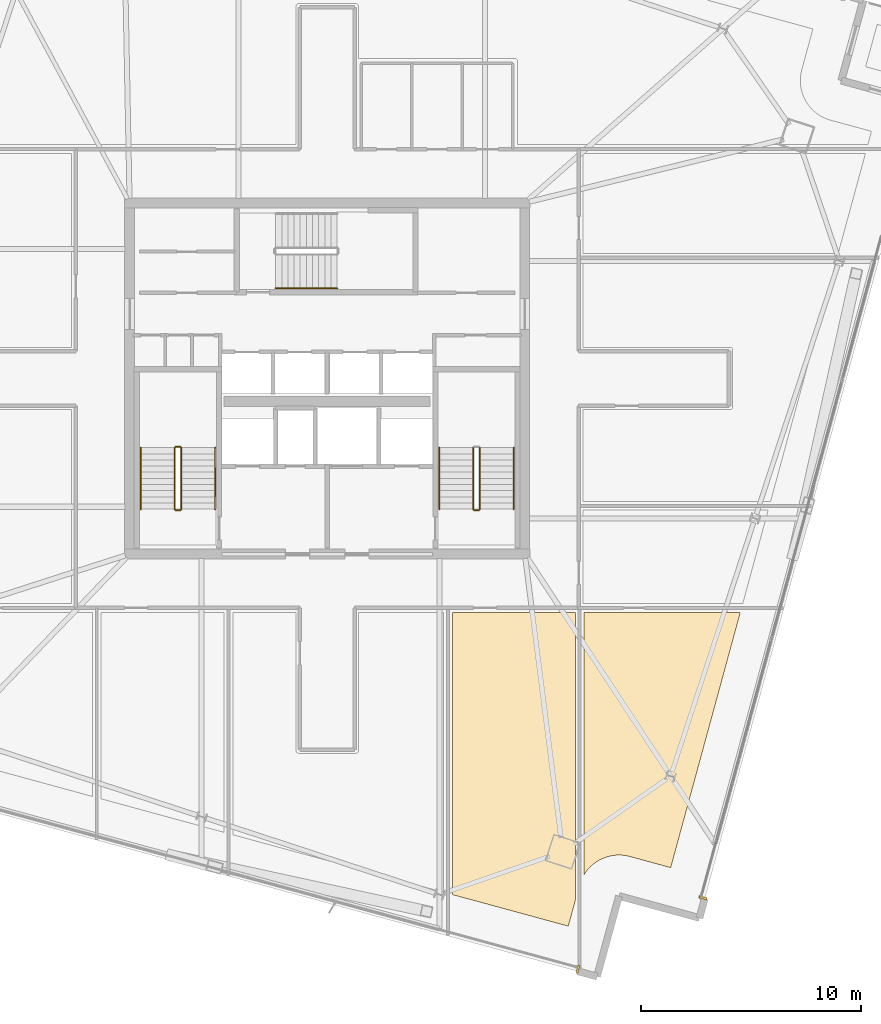
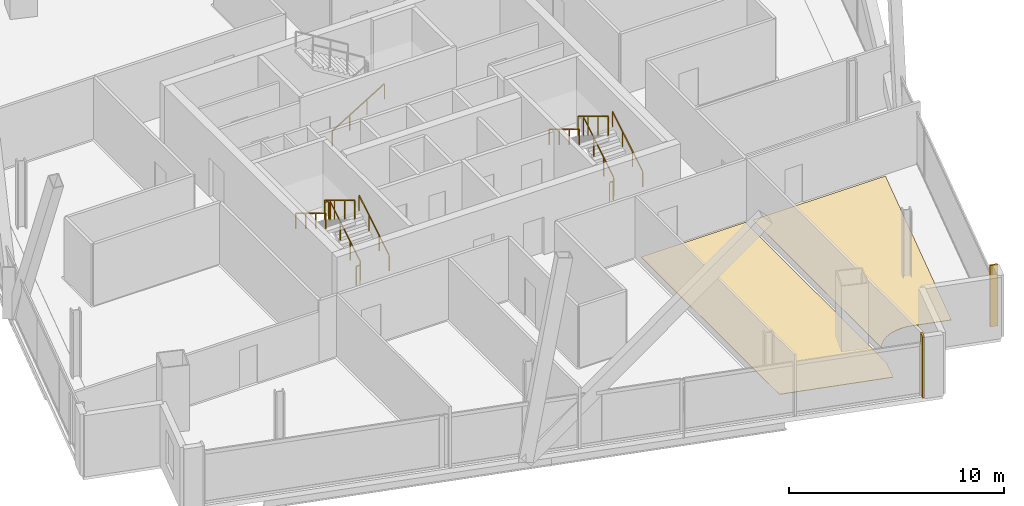
# One storey, part 24 of 26: 12 railings, 4 coverings.
"""IFC4 building model written with IfcOpenShell, lengths in metres."""

from ifc_helpers import new_model, si_unit, direction, frame, origin, origin_2d, place, context, subcontext, project, spatial, polyline, rectangle, outline, extrude, source, transform, mapped, material, layer, layer_set, type_object, element, save


model = new_model("IFC4")

# Units and contexts
model_context = context("Model", 3, precision=1e-05, world=origin(), true_north=direction((0.0, 1.0)))
body_context = subcontext(model_context, "Body", "Model", "MODEL_VIEW")
ifc_project = project(units=[si_unit("LENGTHUNIT", "METRE"), si_unit("AREAUNIT", "SQUARE_METRE"), si_unit("VOLUMEUNIT", "CUBIC_METRE"), si_unit("PLANEANGLEUNIT", "RADIAN"), si_unit("MASSUNIT", "GRAM", prefix="KILO")], contexts=[model_context])

# Site, building, storey
site_placement = place(None, origin())
site = spatial("IfcSite", under=ifc_project, at=site_placement, CompositionType="ELEMENT")
building_placement = place(site_placement, origin())
building = spatial("IfcBuilding", under=site, at=building_placement, Name="Haldenkirk Collegiate Tower", CompositionType="ELEMENT")
storey_placement = place(building_placement, frame((0.0, 0.0, 278.699951171875)))
storey = spatial("IfcBuildingStorey", under=building, at=storey_placement, Name="L70", CompositionType="ELEMENT", Elevation=278.699951171875)

# Coverings
ifc_material_1 = material(Name="Polished collegiate terrazzo", Category="concrete")
ifc_layer_1 = layer(ifc_material_1, 0.02490234375)
ifc_layer_set_1 = layer_set([ifc_layer_1], Name="Polished collegiate terrazzo")
covering_type_1 = type_object("IfcCoveringType", Name="COV-FLOOR-TERRAZZO", PredefinedType="FLOORING", material=ifc_layer_set_1)
covering_1_placement = place(storey_placement, origin())
element("IfcCovering", 1, at=covering_1_placement, inside=storey, type_object=covering_type_1, Name="L70 academic room finish 04", PredefinedType="FLOORING", context=body_context, shape_type="SweptSolid", body=[
    extrude(outline(polyline([(46.97998046875, 1.053466796875), (41.699951171875, 2.492919921875), (41.699951171875, 15.35009765625), (47.300048828125, 15.35009765625), (47.300048828125, 2.227783203125), (46.97998046875, 1.053466796875)])), origin(), (0.0, 0.0, 1.0), 0.025146484375),
])
ifc_material_2 = material(Name="Engineered collegiate oak acoustic flooring", Category="wood")
ifc_layer_2 = layer(ifc_material_2, 0.02197265625)
ifc_layer_set_2 = layer_set([ifc_layer_2], Name="Engineered collegiate oak acoustic flooring")
covering_type_2 = type_object("IfcCoveringType", Name="COV-FLOOR-TIMBER", PredefinedType="FLOORING", material=ifc_layer_set_2)
covering_2_placement = place(storey_placement, origin())
element("IfcCovering", 2, at=covering_2_placement, inside=storey, type_object=covering_type_2, Name="L70 academic room finish 05", PredefinedType="FLOORING", context=body_context, shape_type="SweptSolid", body=[
    extrude(outline(polyline([(47.699951171875, 3.404296875), (47.699951171875, 15.35009765625), (54.81640625, 15.35009765625), (51.6455078125, 3.72021484375), (49.78369140625, 4.227783203125), (49.77783203125, 4.229248046875), (49.610107421875, 4.266357421875), (49.598388671875, 4.268310546875), (49.427978515625, 4.28857421875), (49.416259765625, 4.289306640625), (49.24462890625, 4.29296875), (49.23291015625, 4.29248046875), (49.0615234375, 4.279296875), (49.0498046875, 4.27783203125), (48.880615234375, 4.247802734375), (48.869384765625, 4.2451171875), (48.7041015625, 4.19873046875), (48.692626953125, 4.195068359375), (48.53271484375, 4.132568359375), (48.52197265625, 4.127685546875), (48.368896484375, 4.050048828125), (48.358642578125, 4.044189453125), (48.214111328125, 3.95166015625), (48.204345703125, 3.94482421875), (48.0693359375, 3.838623046875), (48.060546875, 3.8310546875), (47.9365234375, 3.712158203125), (47.9287109375, 3.70361328125), (47.81689453125, 3.5732421875), (47.8095703125, 3.563720703125), (47.711181640625, 3.423095703125), (47.704833984375, 3.4130859375), (47.699951171875, 3.404296875)])), origin(), (0.0, 0.0, 1.0), 0.02197265625),
])

# Railings
ifc_material_3 = material(Name="Painted architectural tubular steel", Category="steel")
railing_type_1 = type_object("IfcRailingType", Name="RLG-STAIR-GUARD-1100", PredefinedType="BALUSTRADE", material=ifc_material_3)
railing_1_placement = place(storey_placement, frame((29.35009765625, 20.050048828125, 0.17041015625)))
element("IfcRailing", 3, at=railing_1_placement, inside=storey, type_object=railing_type_1, Name="L70 ST-1 stair guard 1", PredefinedType="BALUSTRADE", context=body_context, shape_type="SweptSolid", body=[
    extrude(rectangle(XDim=0.048095703125, YDim=0.048095703125, at=origin_2d()), frame((0.0, 0.0, 1.076171875), z_axis=(0.0, 0.854169791009, 0.51999420009), x_axis=(-1.0, 0.0, 0.0)), (0.0, 0.0, 1.0), 3.278076171875),
    extrude(rectangle(XDim=0.0419921875, YDim=0.0419921875, at=origin_2d()), origin(), (0.0, 0.0, 1.0), 1.052001953125),
    extrude(rectangle(XDim=0.0419921875, YDim=0.0419921875, at=origin_2d()), frame((0.0, 0.933349609375, 0.568115234375)), (0.0, 0.0, 1.0), 1.052001953125),
    extrude(rectangle(XDim=0.0419921875, YDim=0.0419921875, at=origin_2d()), frame((0.0, 1.86669921875, 1.136474609375)), (0.0, 0.0, 1.0), 1.052001953125),
    extrude(rectangle(XDim=0.0419921875, YDim=0.0419921875, at=origin_2d()), frame((0.0, 2.800048828125, 1.70458984375)), (0.0, 0.0, 1.0), 1.052001953125),
])
railing_2_placement = place(storey_placement, frame((29.300048828125, 22.89990234375, 1.875)))
element("IfcRailing", 4, at=railing_2_placement, inside=storey, type_object=railing_type_1, Name="L70 ST-1 stair guard 2", PredefinedType="BALUSTRADE", context=body_context, shape_type="SweptSolid", body=[
    extrude(rectangle(XDim=0.048095703125, YDim=0.048095703125, at=origin_2d()), frame((0.0, 0.0, 1.076171875), z_axis=(-1.0, 0.0, 0.0), x_axis=(0.0, -1.0, 0.0)), (0.0, 0.0, 1.0), 0.199951171875),
    extrude(rectangle(XDim=0.0419921875, YDim=0.0419921875, at=origin_2d()), origin(), (0.0, 0.0, 1.0), 1.052001953125),
    extrude(rectangle(XDim=0.0419921875, YDim=0.0419921875, at=origin_2d()), frame((-0.199951171875, 0.0, 0.0)), (0.0, 0.0, 1.0), 1.052001953125),
])
railing_3_placement = place(storey_placement, frame((29.050048828125, 22.85009765625, 2.04541015625)))
element("IfcRailing", 5, at=railing_3_placement, inside=storey, type_object=railing_type_1, Name="L70 ST-1 stair guard 3", PredefinedType="BALUSTRADE", context=body_context, shape_type="SweptSolid", body=[
    extrude(rectangle(XDim=0.048095703125, YDim=0.048095703125, at=origin_2d()), frame((0.0, 0.0, 1.076171875), z_axis=(0.0, -0.854169791009, 0.51999420009), x_axis=(1.0, 0.0, 0.0)), (0.0, 0.0, 1.0), 3.278076171875),
    extrude(rectangle(XDim=0.0419921875, YDim=0.0419921875, at=origin_2d()), origin(), (0.0, 0.0, 1.0), 1.052001953125),
    extrude(rectangle(XDim=0.0419921875, YDim=0.0419921875, at=origin_2d()), frame((0.0, -0.933349609375, 0.568115234375)), (0.0, 0.0, 1.0), 1.052001953125),
    extrude(rectangle(XDim=0.0419921875, YDim=0.0419921875, at=origin_2d()), frame((0.0, -1.86669921875, 1.136474609375)), (0.0, 0.0, 1.0), 1.052001953125),
    extrude(rectangle(XDim=0.0419921875, YDim=0.0419921875, at=origin_2d()), frame((0.0, -2.800048828125, 1.70458984375)), (0.0, 0.0, 1.0), 1.052001953125),
])
railing_4_placement = place(storey_placement, frame((29.300048828125, 20.0, 0.0)))
element("IfcRailing", 6, at=railing_4_placement, inside=storey, type_object=railing_type_1, Name="L70 ST-1 stair guard 4", PredefinedType="BALUSTRADE", context=body_context, shape_type="SweptSolid", body=[
    extrude(rectangle(XDim=0.048095703125, YDim=0.048095703125, at=origin_2d()), frame((0.0, 0.0, 1.076171875), z_axis=(-1.0, 0.0, 0.0), x_axis=(0.0, -1.0, 0.0)), (0.0, 0.0, 1.0), 0.199951171875),
    extrude(rectangle(XDim=0.0419921875, YDim=0.0419921875, at=origin_2d()), origin(), (0.0, 0.0, 1.0), 1.052001953125),
    extrude(rectangle(XDim=0.0419921875, YDim=0.0419921875, at=origin_2d()), frame((-0.199951171875, 0.0, 0.0)), (0.0, 0.0, 1.0), 1.052001953125),
])
railing_5_placement = place(storey_placement, frame((42.949951171875, 20.050048828125, 0.17041015625)))
element("IfcRailing", 7, at=railing_5_placement, inside=storey, type_object=railing_type_1, Name="L70 ST-2 stair guard 1", PredefinedType="BALUSTRADE", context=body_context, shape_type="SweptSolid", body=[
    extrude(rectangle(XDim=0.048095703125, YDim=0.048095703125, at=origin_2d()), frame((0.0, 0.0, 1.076171875), z_axis=(0.0, 0.854169791009, 0.51999420009), x_axis=(-1.0, 0.0, 0.0)), (0.0, 0.0, 1.0), 3.278076171875),
    extrude(rectangle(XDim=0.0419921875, YDim=0.0419921875, at=origin_2d()), origin(), (0.0, 0.0, 1.0), 1.052001953125),
    extrude(rectangle(XDim=0.0419921875, YDim=0.0419921875, at=origin_2d()), frame((0.0, 0.933349609375, 0.568115234375)), (0.0, 0.0, 1.0), 1.052001953125),
    extrude(rectangle(XDim=0.0419921875, YDim=0.0419921875, at=origin_2d()), frame((0.0, 1.86669921875, 1.136474609375)), (0.0, 0.0, 1.0), 1.052001953125),
    extrude(rectangle(XDim=0.0419921875, YDim=0.0419921875, at=origin_2d()), frame((0.0, 2.800048828125, 1.70458984375)), (0.0, 0.0, 1.0), 1.052001953125),
])
railing_6_placement = place(storey_placement, frame((42.64990234375, 22.85009765625, 2.04541015625)))
element("IfcRailing", 8, at=railing_6_placement, inside=storey, type_object=railing_type_1, Name="L70 ST-2 stair guard 3", PredefinedType="BALUSTRADE", context=body_context, shape_type="SweptSolid", body=[
    extrude(rectangle(XDim=0.048095703125, YDim=0.048095703125, at=origin_2d()), frame((0.0, 0.0, 1.076171875), z_axis=(0.0, -0.854169791009, 0.51999420009), x_axis=(1.0, 0.0, 0.0)), (0.0, 0.0, 1.0), 3.278076171875),
    extrude(rectangle(XDim=0.0419921875, YDim=0.0419921875, at=origin_2d()), origin(), (0.0, 0.0, 1.0), 1.052001953125),
    extrude(rectangle(XDim=0.0419921875, YDim=0.0419921875, at=origin_2d()), frame((0.0, -0.933349609375, 0.568115234375)), (0.0, 0.0, 1.0), 1.052001953125),
    extrude(rectangle(XDim=0.0419921875, YDim=0.0419921875, at=origin_2d()), frame((0.0, -1.86669921875, 1.136474609375)), (0.0, 0.0, 1.0), 1.052001953125),
    extrude(rectangle(XDim=0.0419921875, YDim=0.0419921875, at=origin_2d()), frame((0.0, -2.800048828125, 1.70458984375)), (0.0, 0.0, 1.0), 1.052001953125),
])
railing_7_placement = place(storey_placement, frame((42.89990234375, 20.0, 0.0)))
element("IfcRailing", 9, at=railing_7_placement, inside=storey, type_object=railing_type_1, Name="L70 ST-2 stair guard 4", PredefinedType="BALUSTRADE", context=body_context, shape_type="SweptSolid", body=[
    extrude(rectangle(XDim=0.048095703125, YDim=0.048095703125, at=origin_2d()), frame((0.0, 0.0, 1.076171875), z_axis=(-1.0, 0.0, 0.0), x_axis=(0.0, -1.0, 0.0)), (0.0, 0.0, 1.0), 0.199951171875),
    extrude(rectangle(XDim=0.0419921875, YDim=0.0419921875, at=origin_2d()), origin(), (0.0, 0.0, 1.0), 1.052001953125),
    extrude(rectangle(XDim=0.0419921875, YDim=0.0419921875, at=origin_2d()), frame((-0.199951171875, 0.0, 0.0)), (0.0, 0.0, 1.0), 1.052001953125),
])
railing_type_2 = type_object("IfcRailingType", Name="RLG-STAIR-HANDRAIL-900", PredefinedType="HANDRAIL", material=ifc_material_3)
railing_8_placement = place(storey_placement, frame((30.89990234375, 20.050048828125, 0.17041015625)))
element("IfcRailing", 10, at=railing_8_placement, inside=storey, type_object=railing_type_2, Name="L70 ST-1 stair handrail 1", PredefinedType="HANDRAIL", context=body_context, shape_type="SweptSolid", body=[
    extrude(rectangle(XDim=0.048095703125, YDim=0.048095703125, at=origin_2d()), frame((0.0, 0.0, 0.8759765625), z_axis=(0.0, 0.854169791009, 0.51999420009), x_axis=(-1.0, 0.0, 0.0)), (0.0, 0.0, 1.0), 3.278076171875),
    extrude(rectangle(XDim=0.0419921875, YDim=0.0419921875, at=origin_2d()), origin(), (0.0, 0.0, 1.0), 0.851806640625),
    extrude(rectangle(XDim=0.0419921875, YDim=0.0419921875, at=origin_2d()), frame((0.0, 0.933349609375, 0.568115234375)), (0.0, 0.0, 1.0), 0.851806640625),
    extrude(rectangle(XDim=0.0419921875, YDim=0.0419921875, at=origin_2d()), frame((0.0, 1.86669921875, 1.136474609375)), (0.0, 0.0, 1.0), 0.851806640625),
    extrude(rectangle(XDim=0.0419921875, YDim=0.0419921875, at=origin_2d()), frame((0.0, 2.800048828125, 1.70458984375)), (0.0, 0.0, 1.0), 0.851806640625),
])
railing_9_placement = place(storey_placement, frame((27.5, 22.85009765625, 2.04541015625)))
element("IfcRailing", 11, at=railing_9_placement, inside=storey, type_object=railing_type_2, Name="L70 ST-1 stair handrail 2", PredefinedType="HANDRAIL", context=body_context, shape_type="SweptSolid", body=[
    extrude(rectangle(XDim=0.048095703125, YDim=0.048095703125, at=origin_2d()), frame((0.0, 0.0, 0.8759765625), z_axis=(0.0, -0.854169791009, 0.51999420009), x_axis=(1.0, 0.0, 0.0)), (0.0, 0.0, 1.0), 3.278076171875),
    extrude(rectangle(XDim=0.0419921875, YDim=0.0419921875, at=origin_2d()), origin(), (0.0, 0.0, 1.0), 0.851806640625),
    extrude(rectangle(XDim=0.0419921875, YDim=0.0419921875, at=origin_2d()), frame((0.0, -0.933349609375, 0.568115234375)), (0.0, 0.0, 1.0), 0.851806640625),
    extrude(rectangle(XDim=0.0419921875, YDim=0.0419921875, at=origin_2d()), frame((0.0, -1.86669921875, 1.136474609375)), (0.0, 0.0, 1.0), 0.851806640625),
    extrude(rectangle(XDim=0.0419921875, YDim=0.0419921875, at=origin_2d()), frame((0.0, -2.800048828125, 1.70458984375)), (0.0, 0.0, 1.0), 0.851806640625),
])
railing_10_placement = place(storey_placement, frame((44.5, 20.050048828125, 0.17041015625)))
element("IfcRailing", 12, at=railing_10_placement, inside=storey, type_object=railing_type_2, Name="L70 ST-2 stair handrail 1", PredefinedType="HANDRAIL", context=body_context, shape_type="SweptSolid", body=[
    extrude(rectangle(XDim=0.048095703125, YDim=0.048095703125, at=origin_2d()), frame((0.0, 0.0, 0.8759765625), z_axis=(0.0, 0.854169791009, 0.51999420009), x_axis=(-1.0, 0.0, 0.0)), (0.0, 0.0, 1.0), 3.278076171875),
    extrude(rectangle(XDim=0.0419921875, YDim=0.0419921875, at=origin_2d()), origin(), (0.0, 0.0, 1.0), 0.851806640625),
    extrude(rectangle(XDim=0.0419921875, YDim=0.0419921875, at=origin_2d()), frame((0.0, 0.933349609375, 0.568115234375)), (0.0, 0.0, 1.0), 0.851806640625),
    extrude(rectangle(XDim=0.0419921875, YDim=0.0419921875, at=origin_2d()), frame((0.0, 1.86669921875, 1.136474609375)), (0.0, 0.0, 1.0), 0.851806640625),
    extrude(rectangle(XDim=0.0419921875, YDim=0.0419921875, at=origin_2d()), frame((0.0, 2.800048828125, 1.70458984375)), (0.0, 0.0, 1.0), 0.851806640625),
])
railing_11_placement = place(storey_placement, frame((41.10009765625, 22.85009765625, 2.04541015625)))
element("IfcRailing", 13, at=railing_11_placement, inside=storey, type_object=railing_type_2, Name="L70 ST-2 stair handrail 2", PredefinedType="HANDRAIL", context=body_context, shape_type="SweptSolid", body=[
    extrude(rectangle(XDim=0.048095703125, YDim=0.048095703125, at=origin_2d()), frame((0.0, 0.0, 0.8759765625), z_axis=(0.0, -0.854169791009, 0.51999420009), x_axis=(1.0, 0.0, 0.0)), (0.0, 0.0, 1.0), 3.278076171875),
    extrude(rectangle(XDim=0.0419921875, YDim=0.0419921875, at=origin_2d()), origin(), (0.0, 0.0, 1.0), 0.851806640625),
    extrude(rectangle(XDim=0.0419921875, YDim=0.0419921875, at=origin_2d()), frame((0.0, -0.933349609375, 0.568115234375)), (0.0, 0.0, 1.0), 0.851806640625),
    extrude(rectangle(XDim=0.0419921875, YDim=0.0419921875, at=origin_2d()), frame((0.0, -1.86669921875, 1.136474609375)), (0.0, 0.0, 1.0), 0.851806640625),
    extrude(rectangle(XDim=0.0419921875, YDim=0.0419921875, at=origin_2d()), frame((0.0, -2.800048828125, 1.70458984375)), (0.0, 0.0, 1.0), 0.851806640625),
])
railing_12_placement = place(storey_placement, frame((33.64990234375, 30.10009765625, 0.17041015625)))
element("IfcRailing", 14, at=railing_12_placement, inside=storey, type_object=railing_type_2, Name="L70 ST-3 stair handrail 1", PredefinedType="HANDRAIL", context=body_context, shape_type="SweptSolid", body=[
    extrude(rectangle(XDim=0.048095703125, YDim=0.048095703125, at=origin_2d()), frame((0.0, 0.0, 0.8759765625), z_axis=(0.854169791009, 0.0, 0.51999420009), x_axis=(0.0, 1.0, 0.0)), (0.0, 0.0, 1.0), 3.278076171875),
    extrude(rectangle(XDim=0.0419921875, YDim=0.0419921875, at=origin_2d()), origin(), (0.0, 0.0, 1.0), 0.851806640625),
    extrude(rectangle(XDim=0.0419921875, YDim=0.0419921875, at=origin_2d()), frame((0.933349609375, 0.0, 0.568115234375)), (0.0, 0.0, 1.0), 0.851806640625),
    extrude(rectangle(XDim=0.0419921875, YDim=0.0419921875, at=origin_2d()), frame((1.86669921875, 0.0, 1.136474609375)), (0.0, 0.0, 1.0), 0.851806640625),
    extrude(rectangle(XDim=0.0419921875, YDim=0.0419921875, at=origin_2d()), frame((2.800048828125, 0.0, 1.70458984375)), (0.0, 0.0, 1.0), 0.851806640625),
])

# Coverings
ifc_material_4 = material(Name="Anodised architectural bronze aluminium", Category="aluminium")
ifc_layer_3 = layer(ifc_material_4, 0.06005859375)
ifc_layer_set_3 = layer_set([ifc_layer_3], Name="Anodised architectural bronze aluminium")
covering_type_3 = type_object("IfcCoveringType", Name="COV-CLAD-BRONZE-60", PredefinedType="CLADDING", material=ifc_layer_set_3)
shared_shape = source(origin(), body_context, "Body", "SweptSolid", [
    extrude(rectangle(XDim=0.10009765625, YDim=0.3798828125, at=origin_2d()), origin(), (0.0, 0.0, 1.0), 3.47998046875),
])
for number, where, z_axis, x_axis, name in (
    (15, (53.11572265625, 2.34521484375, 0.0), (0.0, 0.0, 1.0), (-0.263031214458, -0.964787323829, 0.0), "L70 recessed curtain-wall bronze jamb closure SJR"),
    (16, (47.418701171875, -0.9111328125, 0.0), (0.0, 0.0, 1.0), (-0.964787323829, 0.263031214458, 0.0), "L70 recessed curtain-wall bronze jamb closure WJL"),
):
    element("IfcCovering", number, at=place(storey_placement, frame(where, z_axis=z_axis, x_axis=x_axis)), inside=storey, type_object=covering_type_3, Name=name, PredefinedType="CLADDING", context=body_context, shape_type="MappedRepresentation", body=[
        mapped(shared_shape, transform((0.0, 0.0, 0.0), x_axis=(1.0, 0.0, 0.0), y_axis=(0.0, 1.0, 0.0), z_axis=(0.0, 0.0, 1.0), scale=1.0)),
    ])

save(model, "model.ifc")
